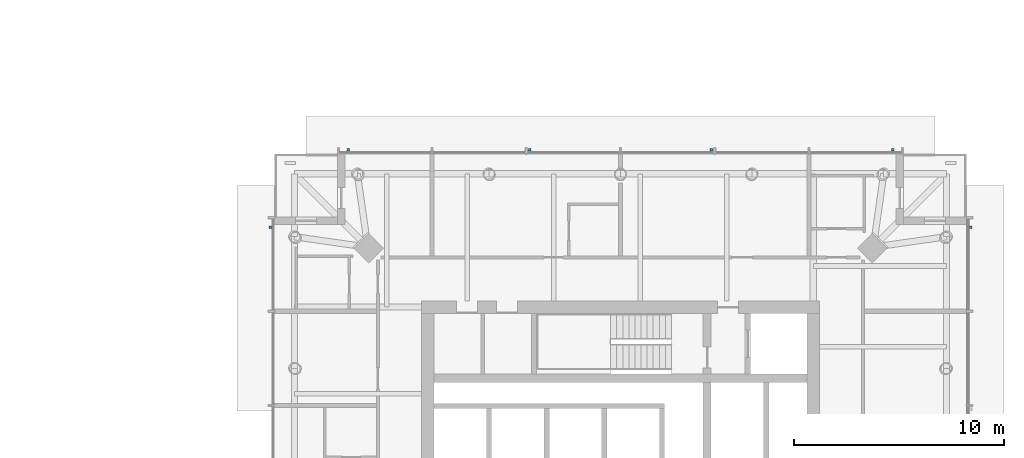
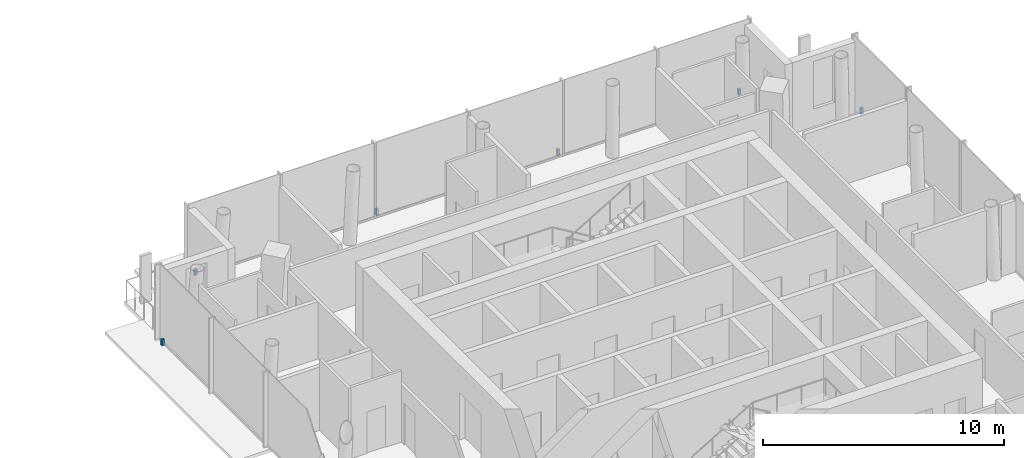
# One storey, part 18 of 20: 6 discrete accessories.
"""IFC4 building model written with IfcOpenShell, lengths in metres."""

from ifc_helpers import new_model, si_unit, direction, frame, origin, origin_2d, place, context, subcontext, project, spatial, rectangle, extrude, material, type_object, element, save


model = new_model("IFC4")

# Units and contexts
model_context = context("Model", 3, precision=1e-05, world=origin(), true_north=direction((0.0, 1.0)))
body_context = subcontext(model_context, "Body", "Model", "MODEL_VIEW")
ifc_project = project(units=[si_unit("LENGTHUNIT", "METRE"), si_unit("AREAUNIT", "SQUARE_METRE"), si_unit("VOLUMEUNIT", "CUBIC_METRE"), si_unit("PLANEANGLEUNIT", "RADIAN"), si_unit("MASSUNIT", "GRAM", prefix="KILO")], contexts=[model_context])

# Site, building, storey
site_placement = place(None, origin())
site = spatial("IfcSite", under=ifc_project, at=site_placement, CompositionType="ELEMENT")
building_placement = place(site_placement, origin())
building = spatial("IfcBuilding", under=site, at=building_placement, Name="Ostroluk Exchange", CompositionType="ELEMENT")
storey_placement = place(building_placement, frame((0.0, 0.0, 100.800048828125)))
storey = spatial("IfcBuildingStorey", under=building, at=storey_placement, Name="L25", CompositionType="ELEMENT", Elevation=100.800048828125)

# Discrete accessories
ifc_material = material(Name="Stainless steel", Category="steel")
discrete_accessory_type = type_object("IfcDiscreteAccessoryType", Name="Fall-arrest anchor PN-EN 795 type C", PredefinedType="USERDEFINED", material=ifc_material)
for number, where, z_axis, x_axis, name in (
    (1, (133.7099609375, 59.0, 0.0), (0.0, 0.0, 1.0), (1.0, 0.0, 0.0), "Fall-arrest anchor L25 east 4"),
    (2, (104.0, 62.7099609375, 0.0), (0.0, 0.0, 1.0), (1.0, 0.0, 0.0), "Fall-arrest anchor L25 north 1"),
    (3, (112.666748046875, 62.7099609375, 0.0), (0.0, 0.0, 1.0), (1.0, 0.0, 0.0), "Fall-arrest anchor L25 north 2"),
    (4, (121.333251953125, 62.7099609375, 0.0), (0.0, 0.0, 1.0), (1.0, 0.0, 0.0), "Fall-arrest anchor L25 north 3"),
    (5, (130.0, 62.7099609375, 0.0), (0.0, 0.0, 1.0), (1.0, 0.0, 0.0), "Fall-arrest anchor L25 north 4"),
    (6, (100.2900390625, 59.0, 0.0), (0.0, 0.0, 1.0), (1.0, 0.0, 0.0), "Fall-arrest anchor L25 west 4"),
):
    element("IfcDiscreteAccessory", number, at=place(storey_placement, frame(where, z_axis=z_axis, x_axis=x_axis)), inside=storey, type_object=discrete_accessory_type, Name=name, ObjectType="FALL ARREST ANCHOR", PredefinedType="USERDEFINED", context=body_context, shape_type="SweptSolid", body=[
        extrude(rectangle(XDim=0.1201171875, YDim=0.1201171875, at=origin_2d()), origin(), (0.0, 0.0, 1.0), 0.300048828125),
    ])

save(model, "model.ifc")
